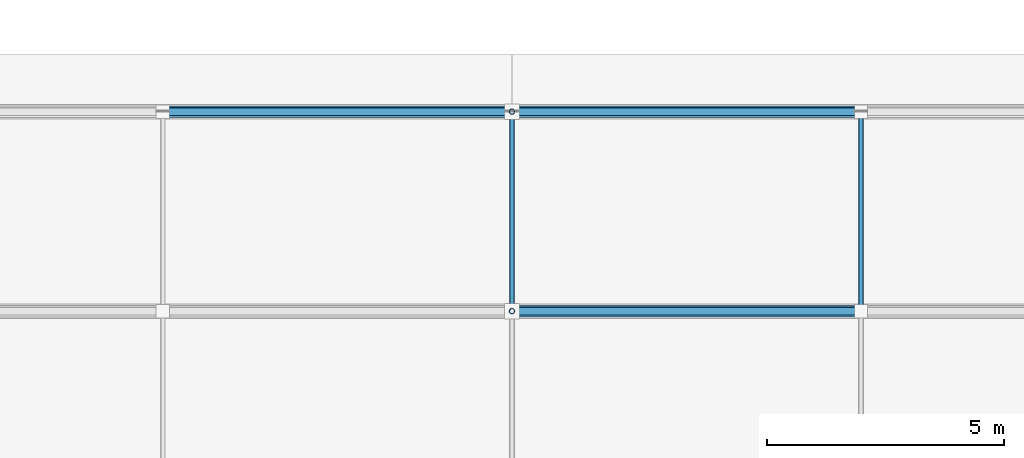
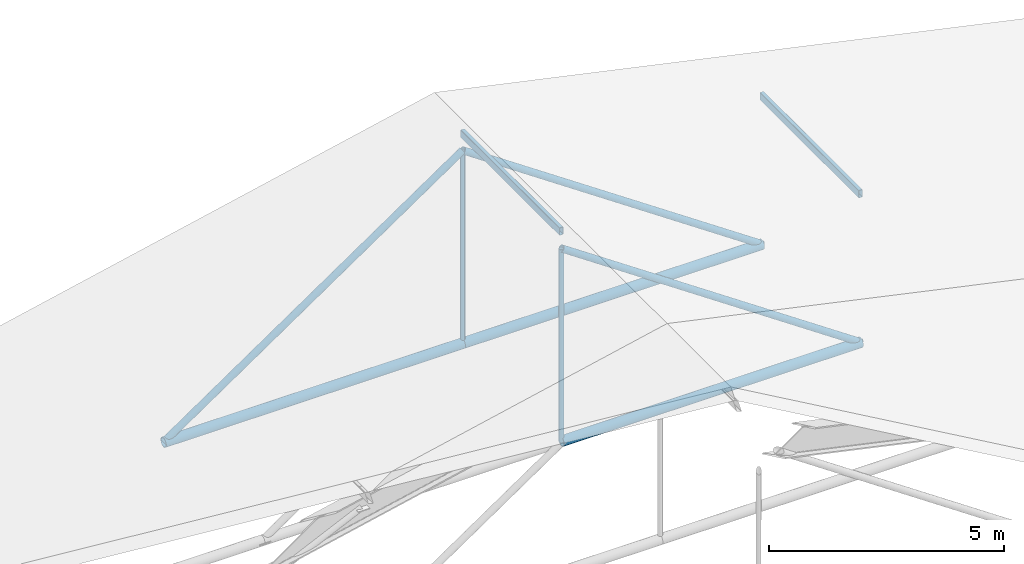
# One storey, part 21 of 60: 10 members.
"""IFC4 building model written with IfcOpenShell, lengths in metres."""

from ifc_helpers import new_model, si_unit, direction, frame, origin, origin_2d, place, context, subcontext, project, spatial, hollow_rectangle, hollow_circle, extrude, material, material_profile, profile_set, type_object, element, save


model = new_model("IFC4")

# Units and contexts
model_context = context("Model", 3, precision=1e-05, world=origin(), true_north=direction((0.0, 1.0)))
body_context = subcontext(model_context, "Body", "Model", "MODEL_VIEW")
ifc_project = project(units=[si_unit("LENGTHUNIT", "METRE"), si_unit("AREAUNIT", "SQUARE_METRE"), si_unit("VOLUMEUNIT", "CUBIC_METRE"), si_unit("PLANEANGLEUNIT", "RADIAN"), si_unit("MASSUNIT", "GRAM", prefix="KILO")], contexts=[model_context])

# Site, building, storey
site_placement = place(None, origin())
site = spatial("IfcSite", under=ifc_project, at=site_placement, CompositionType="ELEMENT")
building_placement = place(site_placement, origin())
building = spatial("IfcBuilding", under=site, at=building_placement, Name="Nakhvara Creek Congress Hotel", CompositionType="ELEMENT")
storey_placement = place(building_placement, frame((0.0, 0.0, 54.60009765625)))
storey = spatial("IfcBuildingStorey", under=building, at=storey_placement, Name="RL1", CompositionType="ELEMENT", Elevation=54.60009765625)

# Members
ifc_material = material(Name="Steel S355J2H", Category="steel")
ifc_material_profile_1 = material_profile(ifc_material, hollow_circle(Radius=0.084228515625, WallThickness=0.008056640625, at=origin_2d()), Name="CHS 168.3x8.0", Category="LoadBearing")
ifc_profile_set_1 = profile_set([ifc_material_profile_1], Name="Steel S355J2H")
member_type_1 = type_object("IfcMemberType", Name="MEM-BRC-CHS168", PredefinedType="BRACE", material=ifc_profile_set_1)
member_1_placement = place(storey_placement, frame((33.75, 120.60009765625, -41.89013671875), z_axis=(-0.826301661582, 0.0, 0.563227808321), x_axis=(0.0, -1.0, 0.0)))
element("IfcMember", 1, at=member_1_placement, inside=storey, type_object=member_type_1, Name="Ballroom Roof Truss Web Brace 08.4", PredefinedType="BRACE", context=body_context, shape_type="SweptSolid", body=[
    extrude(hollow_circle(Radius=0.084228515625, WallThickness=0.008056640625, at=origin_2d()), origin(), (0.0, 0.0, 1.0), 8.895263671875),
])
member_2_placement = place(storey_placement, frame((19.050048828125, 124.800048828125, -41.89013671875), z_axis=(0.826292954583, 0.0, 0.563240581996), x_axis=(0.0, 1.0, 0.0)))
element("IfcMember", 2, at=member_2_placement, inside=storey, type_object=member_type_1, Name="Ballroom Roof Truss Web Brace 09.3", PredefinedType="BRACE", context=body_context, shape_type="SweptSolid", body=[
    extrude(hollow_circle(Radius=0.084228515625, WallThickness=0.008056640625, at=origin_2d()), origin(), (0.0, 0.0, 1.0), 8.89501953125),
])
member_3_placement = place(storey_placement, frame((33.75, 124.800048828125, -41.89013671875), z_axis=(-0.826301661582, 0.0, 0.563227808321), x_axis=(0.0, -1.0, 0.0)))
element("IfcMember", 3, at=member_3_placement, inside=storey, type_object=member_type_1, Name="Ballroom Roof Truss Web Brace 09.4", PredefinedType="BRACE", context=body_context, shape_type="SweptSolid", body=[
    extrude(hollow_circle(Radius=0.084228515625, WallThickness=0.008056640625, at=origin_2d()), origin(), (0.0, 0.0, 1.0), 8.895263671875),
])
ifc_material_profile_2 = material_profile(ifc_material, hollow_circle(Radius=0.122314453125, WallThickness=0.012451171875, at=origin_2d()), Name="CHS 244.5x12.5", Category="LoadBearing")
ifc_profile_set_2 = profile_set([ifc_material_profile_2], Name="Steel S355J2H")
member_type_2 = type_object("IfcMemberType", Name="MEM-CHD-CHS244", PredefinedType="CHORD", material=ifc_profile_set_2)
member_4_placement = place(storey_placement, frame((26.39990234375, 120.60009765625, -41.89013671875), z_axis=(1.0, 0.0, 0.0), x_axis=(0.0, 1.0, 0.0)))
element("IfcMember", 4, at=member_4_placement, inside=storey, type_object=member_type_2, Name="Ballroom Roof Truss Bottom Chord 08.4", PredefinedType="CHORD", context=body_context, shape_type="SweptSolid", body=[
    extrude(hollow_circle(Radius=0.122314453125, WallThickness=0.012451171875, at=origin_2d()), origin(), (0.0, 0.0, 1.0), 7.35009765625),
])
member_5_placement = place(storey_placement, frame((19.050048828125, 124.800048828125, -41.89013671875), z_axis=(1.0, 0.0, 0.0), x_axis=(0.0, 1.0, 0.0)))
element("IfcMember", 5, at=member_5_placement, inside=storey, type_object=member_type_2, Name="Ballroom Roof Truss Bottom Chord 09.3", PredefinedType="CHORD", context=body_context, shape_type="SweptSolid", body=[
    extrude(hollow_circle(Radius=0.122314453125, WallThickness=0.012451171875, at=origin_2d()), origin(), (0.0, 0.0, 1.0), 7.349853515625),
])
member_6_placement = place(storey_placement, frame((26.39990234375, 124.800048828125, -41.89013671875), z_axis=(1.0, 0.0, 0.0), x_axis=(0.0, 1.0, 0.0)))
element("IfcMember", 6, at=member_6_placement, inside=storey, type_object=member_type_2, Name="Ballroom Roof Truss Bottom Chord 09.4", PredefinedType="CHORD", context=body_context, shape_type="SweptSolid", body=[
    extrude(hollow_circle(Radius=0.122314453125, WallThickness=0.012451171875, at=origin_2d()), origin(), (0.0, 0.0, 1.0), 7.35009765625),
])
ifc_material_profile_3 = material_profile(ifc_material, hollow_rectangle(XDim=0.10009765625, YDim=0.199951171875, WallThickness=0.008056640625, InnerFilletRadius=0.008056640625, OuterFilletRadius=0.01611328125, at=origin_2d()), Name="RHS 200x100x8.0", Category="LoadBearing")
ifc_profile_set_3 = profile_set([ifc_material_profile_3], Name="Steel S355J2H")
member_type_3 = type_object("IfcMemberType", Name="MEM-PUR-RHS200", PredefinedType="PURLIN", material=ifc_profile_set_3)
for number, where, z_axis, x_axis, name in (
    (7, (26.39990234375, 120.60009765625, -36.433837890625), (0.0, 1.0, 0.0), (-1.0, 0.0, 0.0), "Ballroom Roof Purlin 4.8"),
    (8, (33.75, 120.60009765625, -38.033935546875), (0.0, 1.0, 0.0), (-1.0, 0.0, 0.0), "Ballroom Roof Purlin 5.8"),
):
    element("IfcMember", number, at=place(storey_placement, frame(where, z_axis=z_axis, x_axis=x_axis)), inside=storey, type_object=member_type_3, Name=name, PredefinedType="PURLIN", context=body_context, shape_type="SweptSolid", body=[
        extrude(hollow_rectangle(XDim=0.10009765625, YDim=0.199951171875, WallThickness=0.008056640625, InnerFilletRadius=0.008056640625, OuterFilletRadius=0.01611328125, at=origin_2d()), origin(), (0.0, 0.0, 1.0), 4.199951171875),
    ])
ifc_material_profile_4 = material_profile(ifc_material, hollow_circle(Radius=0.05712890625, WallThickness=0.00634765625, at=origin_2d()), Name="CHS 114.3x6.3", Category="LoadBearing")
ifc_profile_set_4 = profile_set([ifc_material_profile_4], Name="Steel S355J2H")
member_type_4 = type_object("IfcMemberType", Name="MEM-STR-CHS114", PredefinedType="STRUT", material=ifc_profile_set_4)
for number, where, z_axis, x_axis, name in (
    (9, (26.39990234375, 120.60009765625, -41.89013671875), (0.0, 0.0, 1.0), (1.0, 0.0, 0.0), "Ballroom Roof Truss King-Post 08"),
    (10, (26.39990234375, 124.800048828125, -41.89013671875), (0.0, 0.0, 1.0), (1.0, 0.0, 0.0), "Ballroom Roof Truss King-Post 09"),
):
    element("IfcMember", number, at=place(storey_placement, frame(where, z_axis=z_axis, x_axis=x_axis)), inside=storey, type_object=member_type_4, Name=name, PredefinedType="STRUT", context=body_context, shape_type="SweptSolid", body=[
        extrude(hollow_circle(Radius=0.05712890625, WallThickness=0.00634765625, at=origin_2d()), origin(), (0.0, 0.0, 1.0), 5.010009765625),
    ])

save(model, "model.ifc")
